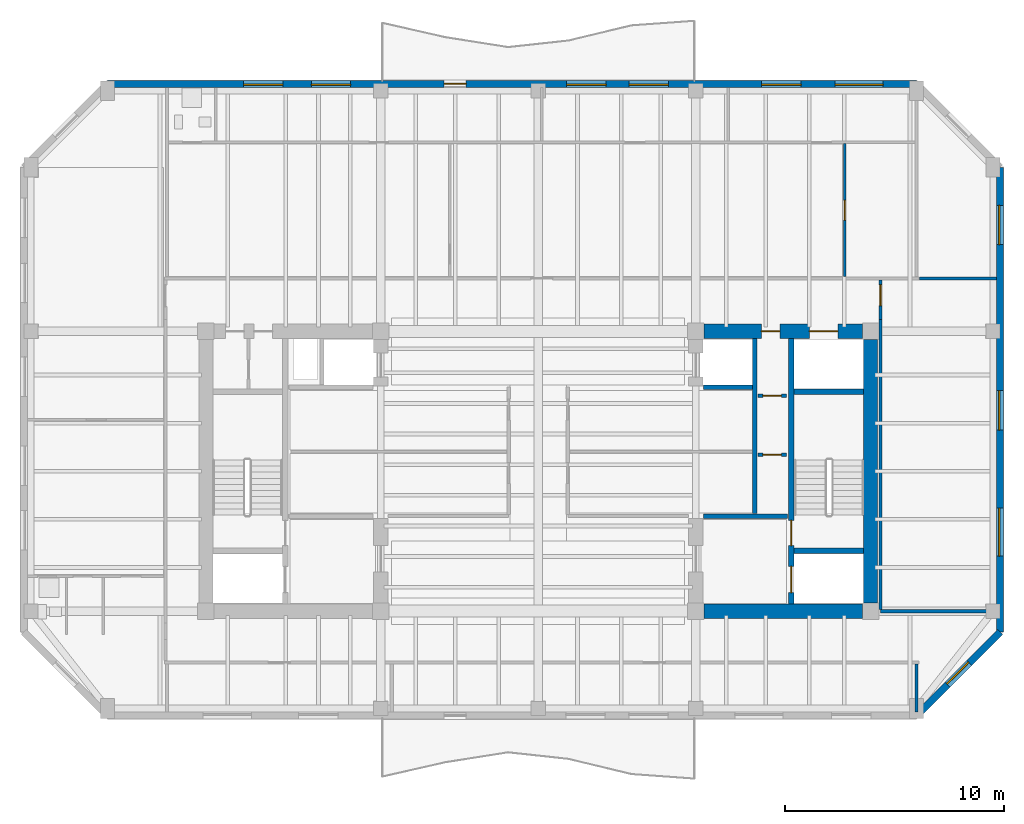
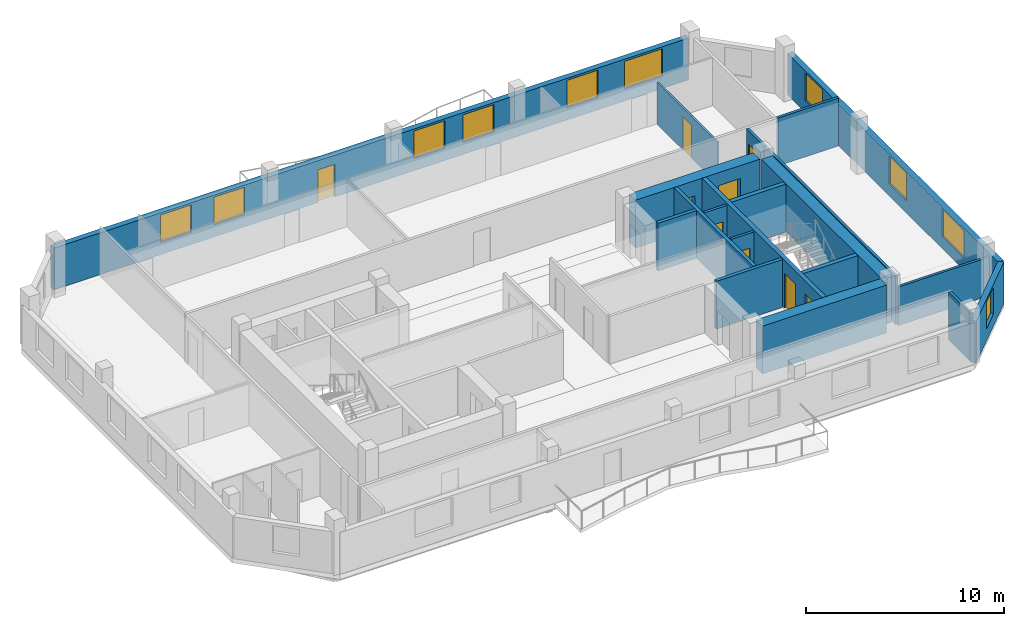
# One storey, part 5 of 10: 20 walls, 10 windows, 9 doors, 19 openings.
"""IFC4 building model written with IfcOpenShell, lengths in metres."""

from ifc_helpers import new_model, si_unit, direction, frame, frame_2d, origin, place, context, subcontext, project, spatial, rectangle, extrude, material, layer, layer_set, type_object, element, fill, save


model = new_model("IFC4")

# Units and contexts
model_context = context("Model", 3, precision=1e-05, world=origin(), true_north=direction((0.0, 1.0)))
body_context = subcontext(model_context, "Body", "Model", "MODEL_VIEW")
ifc_project = project(units=[si_unit("LENGTHUNIT", "METRE"), si_unit("AREAUNIT", "SQUARE_METRE"), si_unit("VOLUMEUNIT", "CUBIC_METRE"), si_unit("PLANEANGLEUNIT", "RADIAN"), si_unit("MASSUNIT", "GRAM", prefix="KILO")], contexts=[model_context])

# Site, building, storey
site_placement = place(None, origin())
site = spatial("IfcSite", under=ifc_project, at=site_placement, CompositionType="ELEMENT")
building_placement = place(site_placement, origin())
building = spatial("IfcBuilding", under=site, at=building_placement, Name="Kranthara Brick Stack", CompositionType="ELEMENT")
storey_placement = place(building_placement, frame((0.0, 0.0, 278.89990234375)))
storey = spatial("IfcBuildingStorey", under=building, at=storey_placement, Name="L74", CompositionType="ELEMENT", Elevation=278.89990234375)

# Wall, openings, door, windows
ifc_material_1 = material(Name="Warm buff clay brick masonry M15", Category="masonry")
ifc_layer_1 = layer(ifc_material_1, 0.320068359375)
ifc_layer_set_1 = layer_set([ifc_layer_1], Name="Warm buff clay brick masonry M15")
wall_type_1 = type_object("IfcWallType", Name="WL-BRK-UPPR-320", PredefinedType="STANDARD", material=ifc_layer_set_1)
wall_1_placement = place(storey_placement, frame((8.300048828125, 44.919921875, 0.0), z_axis=(0.0, 0.0, 1.0), x_axis=(1.0, 0.0, 0.0)))
wall_1 = element("IfcWall", 1, at=wall_1_placement, inside=storey, type_object=wall_type_1, Name="L74 Exterior Brick Facade Wall NORTH 1", PredefinedType="STANDARD", context=body_context, shape_type="SweptSolid", body=[
    extrude(rectangle(XDim=37.0, YDim=0.320068359375, at=frame_2d((18.5, 0.0))), origin(), (0.0, 0.0, 1.0), 2.5751953125),
])
opening_1_placement = place(wall_1_placement, frame((15.39990234375, 0.0, 0.0)))
opening_1 = element("IfcOpeningElement", 2, at=opening_1_placement, cuts=wall_1, Name="Opening D03", PredefinedType="OPENING", context=body_context, shape_type="SweptSolid", body=[
    extrude(rectangle(XDim=1.0, YDim=2.02001953125, at=frame_2d((0.5, 1.010009765625))), frame((0.0, 0.169921875, 0.0), z_axis=(0.0, -1.0, 0.0), x_axis=(1.0, 0.0, 0.0)), (0.0, 0.0, 1.0), 0.340087890625),
])
opening_2_placement = place(wall_1_placement, frame((6.22705078125, 0.0, 0.75)))
opening_2 = element("IfcOpeningElement", 3, at=opening_2_placement, cuts=wall_1, Name="Opening WN07", PredefinedType="OPENING", context=body_context, shape_type="SweptSolid", body=[
    extrude(rectangle(XDim=1.800048828125, YDim=1.699951171875, at=frame_2d((0.89990234375, 0.85009765625))), frame((0.0, 0.169921875, 0.0), z_axis=(0.0, -1.0, 0.0), x_axis=(1.0, 0.0, 0.0)), (0.0, 0.0, 1.0), 0.340087890625),
])
opening_3_placement = place(wall_1_placement, frame((9.322998046875, 0.0, 0.75)))
opening_3 = element("IfcOpeningElement", 4, at=opening_3_placement, cuts=wall_1, Name="Opening WN07", PredefinedType="OPENING", context=body_context, shape_type="SweptSolid", body=[
    extrude(rectangle(XDim=1.800048828125, YDim=1.699951171875, at=frame_2d((0.89990234375, 0.85009765625))), frame((0.0, 0.169921875, 0.0), z_axis=(0.0, -1.0, 0.0), x_axis=(1.0, 0.0, 0.0)), (0.0, 0.0, 1.0), 0.340087890625),
])
opening_4_placement = place(wall_1_placement, frame((21.00390625, 0.0, 0.75)))
opening_4 = element("IfcOpeningElement", 5, at=opening_4_placement, cuts=wall_1, Name="Opening WN07", PredefinedType="OPENING", context=body_context, shape_type="SweptSolid", body=[
    extrude(rectangle(XDim=1.800048828125, YDim=1.699951171875, at=frame_2d((0.89990234375, 0.85009765625))), frame((0.0, 0.169921875, 0.0), z_axis=(0.0, -1.0, 0.0), x_axis=(1.0, 0.0, 0.0)), (0.0, 0.0, 1.0), 0.340087890625),
])
opening_5_placement = place(wall_1_placement, frame((23.85595703125, 0.0, 0.75)))
opening_5 = element("IfcOpeningElement", 6, at=opening_5_placement, cuts=wall_1, Name="Opening WN07", PredefinedType="OPENING", context=body_context, shape_type="SweptSolid", body=[
    extrude(rectangle(XDim=1.800048828125, YDim=1.699951171875, at=frame_2d((0.89990234375, 0.85009765625))), frame((0.0, 0.169921875, 0.0), z_axis=(0.0, -1.0, 0.0), x_axis=(1.0, 0.0, 0.0)), (0.0, 0.0, 1.0), 0.340087890625),
])
opening_6_placement = place(wall_1_placement, frame((29.9169921875, 0.0, 0.75)))
opening_6 = element("IfcOpeningElement", 7, at=opening_6_placement, cuts=wall_1, Name="Opening WN07", PredefinedType="OPENING", context=body_context, shape_type="SweptSolid", body=[
    extrude(rectangle(XDim=1.800048828125, YDim=1.699951171875, at=frame_2d((0.89990234375, 0.85009765625))), frame((0.0, 0.169921875, 0.0), z_axis=(0.0, -1.0, 0.0), x_axis=(1.0, 0.0, 0.0)), (0.0, 0.0, 1.0), 0.340087890625),
])
opening_7_placement = place(wall_1_placement, frame((33.27294921875, 0.0, 0.75)))
opening_7 = element("IfcOpeningElement", 8, at=opening_7_placement, cuts=wall_1, Name="Opening WN08", PredefinedType="OPENING", context=body_context, shape_type="SweptSolid", body=[
    extrude(rectangle(XDim=2.199951171875, YDim=1.699951171875, at=frame_2d((1.10009765625, 0.85009765625))), frame((0.0, 0.169921875, 0.0), z_axis=(0.0, -1.0, 0.0), x_axis=(1.0, 0.0, 0.0)), (0.0, 0.0, 1.0), 0.340087890625),
])
ifc_material_2 = material(Name="Bronze anodised aluminium and laminated glass", Category="aluminium")
door_type_1 = type_object("IfcDoorType", Name="DR-BALC-1000", OperationType="NOTDEFINED", PredefinedType="DOOR", material=ifc_material_2)
door_1_placement = place(opening_1_placement, origin())
door_1 = element("IfcDoor", 9, at=door_1_placement, inside=storey, type_object=door_type_1, Name="L74 North Balcony Terrace Door", OperationType="SINGLE_SWING_RIGHT", OverallHeight=2.02001953125, OverallWidth=1.0, PredefinedType="DOOR", context=body_context, shape_type="SweptSolid", body=[
    extrude(rectangle(XDim=1.0, YDim=2.02001953125, at=frame_2d((0.5, 1.010009765625))), frame((0.0, 0.02490234375, 0.0), z_axis=(0.0, -1.0, 0.0), x_axis=(1.0, 0.0, 0.0)), (0.0, 0.0, 1.0), 0.050048828125),
])
fill(opening_1, door_1)
ifc_material_3 = material(Name="Double-glazed low-E solar control glass", Category="glass")
window_type_1 = type_object("IfcWindowType", Name="WN-RES-1800x1850", PartitioningType="DOUBLE_PANEL_VERTICAL", PredefinedType="WINDOW", material=ifc_material_3)
window_1_placement = place(opening_2_placement, origin())
window_1 = element("IfcWindow", 10, at=window_1_placement, inside=storey, type_object=window_type_1, Name="L74 North Deep-Set Brick Window 01", OverallHeight=1.699951171875, OverallWidth=1.800048828125, PartitioningType="SINGLE_PANEL", PredefinedType="WINDOW", context=body_context, shape_type="SweptSolid", body=[
    extrude(rectangle(XDim=1.800048828125, YDim=1.699951171875, at=frame_2d((0.89990234375, 0.85009765625))), frame((0.0, -0.010009765625, 0.0), z_axis=(0.0, -1.0, 0.0), x_axis=(1.0, 0.0, 0.0)), (0.0, 0.0, 1.0), 0.06005859375),
])
fill(opening_2, window_1)
window_2_placement = place(opening_3_placement, origin())
window_2 = element("IfcWindow", 11, at=window_2_placement, inside=storey, type_object=window_type_1, Name="L74 North Deep-Set Brick Window 02", OverallHeight=1.699951171875, OverallWidth=1.800048828125, PartitioningType="SINGLE_PANEL", PredefinedType="WINDOW", context=body_context, shape_type="SweptSolid", body=[
    extrude(rectangle(XDim=1.800048828125, YDim=1.699951171875, at=frame_2d((0.89990234375, 0.85009765625))), frame((0.0, -0.010009765625, 0.0), z_axis=(0.0, -1.0, 0.0), x_axis=(1.0, 0.0, 0.0)), (0.0, 0.0, 1.0), 0.06005859375),
])
fill(opening_3, window_2)
window_3_placement = place(opening_4_placement, origin())
window_3 = element("IfcWindow", 12, at=window_3_placement, inside=storey, type_object=window_type_1, Name="L74 North Deep-Set Brick Window 03", OverallHeight=1.699951171875, OverallWidth=1.800048828125, PartitioningType="SINGLE_PANEL", PredefinedType="WINDOW", context=body_context, shape_type="SweptSolid", body=[
    extrude(rectangle(XDim=1.800048828125, YDim=1.699951171875, at=frame_2d((0.89990234375, 0.85009765625))), frame((0.0, -0.010009765625, 0.0), z_axis=(0.0, -1.0, 0.0), x_axis=(1.0, 0.0, 0.0)), (0.0, 0.0, 1.0), 0.06005859375),
])
fill(opening_4, window_3)
window_4_placement = place(opening_5_placement, origin())
window_4 = element("IfcWindow", 13, at=window_4_placement, inside=storey, type_object=window_type_1, Name="L74 North Deep-Set Brick Window 04", OverallHeight=1.699951171875, OverallWidth=1.800048828125, PartitioningType="SINGLE_PANEL", PredefinedType="WINDOW", context=body_context, shape_type="SweptSolid", body=[
    extrude(rectangle(XDim=1.800048828125, YDim=1.699951171875, at=frame_2d((0.89990234375, 0.85009765625))), frame((0.0, -0.010009765625, 0.0), z_axis=(0.0, -1.0, 0.0), x_axis=(1.0, 0.0, 0.0)), (0.0, 0.0, 1.0), 0.06005859375),
])
fill(opening_5, window_4)
window_5_placement = place(opening_6_placement, origin())
window_5 = element("IfcWindow", 14, at=window_5_placement, inside=storey, type_object=window_type_1, Name="L74 North Deep-Set Brick Window 05", OverallHeight=1.699951171875, OverallWidth=1.800048828125, PartitioningType="SINGLE_PANEL", PredefinedType="WINDOW", context=body_context, shape_type="SweptSolid", body=[
    extrude(rectangle(XDim=1.800048828125, YDim=1.699951171875, at=frame_2d((0.89990234375, 0.85009765625))), frame((0.0, -0.010009765625, 0.0), z_axis=(0.0, -1.0, 0.0), x_axis=(1.0, 0.0, 0.0)), (0.0, 0.0, 1.0), 0.06005859375),
])
fill(opening_6, window_5)
ifc_material_4 = material(Name="Double-glazed low-E solar control glass", Category="glass")
window_type_2 = type_object("IfcWindowType", Name="WN-RES-2200x1850", PartitioningType="TRIPLE_PANEL_VERTICAL", PredefinedType="WINDOW", material=ifc_material_4)
window_6_placement = place(opening_7_placement, origin())
window_6 = element("IfcWindow", 15, at=window_6_placement, inside=storey, type_object=window_type_2, Name="L74 North Deep-Set Brick Window 06", OverallHeight=1.699951171875, OverallWidth=2.199951171875, PartitioningType="SINGLE_PANEL", PredefinedType="WINDOW", context=body_context, shape_type="SweptSolid", body=[
    extrude(rectangle(XDim=2.199951171875, YDim=1.699951171875, at=frame_2d((1.10009765625, 0.85009765625))), frame((0.0, -0.010009765625, 0.0), z_axis=(0.0, -1.0, 0.0), x_axis=(1.0, 0.0, 0.0)), (0.0, 0.0, 1.0), 0.06005859375),
])
fill(opening_7, window_6)

# Wall, openings, windows
wall_2_placement = place(storey_placement, frame((49.1201171875, 41.10009765625, 0.0), z_axis=(0.0, 0.0, 1.0), x_axis=(0.0, -1.0, 0.0)))
wall_2 = element("IfcWall", 16, at=wall_2_placement, inside=storey, type_object=wall_type_1, Name="L74 Exterior Brick Facade Wall EAST 1", PredefinedType="STANDARD", context=body_context, shape_type="SweptSolid", body=[
    extrude(rectangle(XDim=21.25, YDim=0.320068359375, at=frame_2d((10.625, 0.0))), origin(), (0.0, 0.0, 1.0), 2.5751953125),
])
opening_8_placement = place(wall_2_placement, frame((1.739990234375, 0.0, 0.75)))
opening_8 = element("IfcOpeningElement", 17, at=opening_8_placement, cuts=wall_2, Name="Opening WN07", PredefinedType="OPENING", context=body_context, shape_type="SweptSolid", body=[
    extrude(rectangle(XDim=1.800048828125, YDim=1.699951171875, at=frame_2d((0.89990234375, 0.85009765625))), frame((0.0, 0.169921875, 0.0), z_axis=(0.0, -1.0, 0.0), x_axis=(1.0, 0.0, 0.0)), (0.0, 0.0, 1.0), 0.340087890625),
])
opening_9_placement = place(wall_2_placement, frame((10.216064453125, 0.0, 0.75)))
opening_9 = element("IfcOpeningElement", 18, at=opening_9_placement, cuts=wall_2, Name="Opening WN07", PredefinedType="OPENING", context=body_context, shape_type="SweptSolid", body=[
    extrude(rectangle(XDim=1.800048828125, YDim=1.699951171875, at=frame_2d((0.89990234375, 0.85009765625))), frame((0.0, 0.169921875, 0.0), z_axis=(0.0, -1.0, 0.0), x_axis=(1.0, 0.0, 0.0)), (0.0, 0.0, 1.0), 0.340087890625),
])
opening_10_placement = place(wall_2_placement, frame((15.583984375, 0.0, 0.75)))
opening_10 = element("IfcOpeningElement", 19, at=opening_10_placement, cuts=wall_2, Name="Opening WN08", PredefinedType="OPENING", context=body_context, shape_type="SweptSolid", body=[
    extrude(rectangle(XDim=2.199951171875, YDim=1.699951171875, at=frame_2d((1.10009765625, 0.85009765625))), frame((0.0, 0.169921875, 0.0), z_axis=(0.0, -1.0, 0.0), x_axis=(1.0, 0.0, 0.0)), (0.0, 0.0, 1.0), 0.340087890625),
])
window_7_placement = place(opening_8_placement, origin())
window_7 = element("IfcWindow", 20, at=window_7_placement, inside=storey, type_object=window_type_1, Name="L74 East Deep-Set Brick Window 01", OverallHeight=1.699951171875, OverallWidth=1.800048828125, PartitioningType="SINGLE_PANEL", PredefinedType="WINDOW", context=body_context, shape_type="SweptSolid", body=[
    extrude(rectangle(XDim=1.800048828125, YDim=1.699951171875, at=frame_2d((0.89990234375, 0.85009765625))), frame((0.0, -0.010009765625, 0.0), z_axis=(0.0, -1.0, 0.0), x_axis=(1.0, 0.0, 0.0)), (0.0, 0.0, 1.0), 0.06005859375),
])
fill(opening_8, window_7)
window_8_placement = place(opening_9_placement, origin())
window_8 = element("IfcWindow", 21, at=window_8_placement, inside=storey, type_object=window_type_1, Name="L74 East Deep-Set Brick Window 02", OverallHeight=1.699951171875, OverallWidth=1.800048828125, PartitioningType="SINGLE_PANEL", PredefinedType="WINDOW", context=body_context, shape_type="SweptSolid", body=[
    extrude(rectangle(XDim=1.800048828125, YDim=1.699951171875, at=frame_2d((0.89990234375, 0.85009765625))), frame((0.0, -0.010009765625, 0.0), z_axis=(0.0, -1.0, 0.0), x_axis=(1.0, 0.0, 0.0)), (0.0, 0.0, 1.0), 0.06005859375),
])
fill(opening_9, window_8)
window_9_placement = place(opening_10_placement, origin())
window_9 = element("IfcWindow", 22, at=window_9_placement, inside=storey, type_object=window_type_2, Name="L74 East Deep-Set Brick Window 03", OverallHeight=1.699951171875, OverallWidth=2.199951171875, PartitioningType="SINGLE_PANEL", PredefinedType="WINDOW", context=body_context, shape_type="SweptSolid", body=[
    extrude(rectangle(XDim=2.199951171875, YDim=1.699951171875, at=frame_2d((1.10009765625, 0.85009765625))), frame((0.0, -0.010009765625, 0.0), z_axis=(0.0, -1.0, 0.0), x_axis=(1.0, 0.0, 0.0)), (0.0, 0.0, 1.0), 0.06005859375),
])
fill(opening_10, window_9)

# Wall, opening, window
wall_3_placement = place(storey_placement, frame((49.1201171875, 19.85009765625, 0.0), z_axis=(0.0, 0.0, 1.0), x_axis=(-0.707106781187, -0.707106781187, 0.0)))
wall_3 = element("IfcWall", 23, at=wall_3_placement, inside=storey, type_object=wall_type_1, Name="L74 Exterior Brick Facade Wall SE 1", PredefinedType="STANDARD", context=body_context, shape_type="SweptSolid", body=[
    extrude(rectangle(XDim=5.40234375, YDim=0.320068359375, at=frame_2d((2.701171875, 0.0))), origin(), (0.0, 0.0, 1.0), 2.5751953125),
])
opening_11_placement = place(wall_3_placement, frame((2.0009765625, 0.0, 0.75)))
opening_11 = element("IfcOpeningElement", 24, at=opening_11_placement, cuts=wall_3, Name="Opening WN10", PredefinedType="OPENING", context=body_context, shape_type="SweptSolid", body=[
    extrude(rectangle(XDim=1.39990234375, YDim=1.64990234375, at=frame_2d((0.699951171875, 0.824951171875))), frame((0.0, 0.169921875, 0.0), z_axis=(0.0, -1.0, 0.0), x_axis=(1.0, 0.0, 0.0)), (0.0, 0.0, 1.0), 0.340087890625),
])
ifc_material_5 = material(Name="Double-glazed low-E solar control glass", Category="glass")
window_type_3 = type_object("IfcWindowType", Name="WN-CHM-1400x1750", PartitioningType="SINGLE_PANEL", PredefinedType="WINDOW", material=ifc_material_5)
window_10_placement = place(opening_11_placement, origin())
window_10 = element("IfcWindow", 25, at=window_10_placement, inside=storey, type_object=window_type_3, Name="L74 SE Chamfer Corner Window", OverallHeight=1.64990234375, OverallWidth=1.39990234375, PartitioningType="SINGLE_PANEL", PredefinedType="WINDOW", context=body_context, shape_type="SweptSolid", body=[
    extrude(rectangle(XDim=1.39990234375, YDim=1.64990234375, at=frame_2d((0.699951171875, 0.824951171875))), frame((0.0, -0.010009765625, 0.0), z_axis=(0.0, -1.0, 0.0), x_axis=(1.0, 0.0, 0.0)), (0.0, 0.0, 1.0), 0.06005859375),
])
fill(opening_11, window_10)

# Wall, openings, doors
ifc_material_6 = material(Name="Concrete C50/60", Category="concrete")
ifc_layer_2 = layer(ifc_material_6, 0.25)
ifc_layer_set_2 = layer_set([ifc_layer_2], Name="Concrete C50/60")
wall_type_2 = type_object("IfcWallType", Name="WL-CORE-250", PredefinedType="SHEAR", material=ifc_layer_set_2)
wall_4_placement = place(storey_placement, frame((39.56494140625, 21.135009765625, 0.0), z_axis=(0.0, 0.0, 1.0), x_axis=(0.0, 1.0, 0.0)))
wall_4 = element("IfcWall", 26, at=wall_4_placement, inside=storey, type_object=wall_type_2, Name="L74 East Core Stair Bearing Spine Wall", PredefinedType="SHEAR", context=body_context, shape_type="SweptSolid", body=[
    extrude(rectangle(XDim=12.1298828125, YDim=0.25, at=frame_2d((6.06494140625, 0.0))), origin(), (0.0, 0.0, 1.0), 2.9501953125),
])
opening_12_placement = place(wall_4_placement, frame((0.514892578125, 0.0, 0.0)))
opening_12 = element("IfcOpeningElement", 27, at=opening_12_placement, cuts=wall_4, Name="Opening LD01", PredefinedType="OPENING", context=body_context, shape_type="SweptSolid", body=[
    extrude(rectangle(XDim=1.199951171875, YDim=2.14990234375, at=frame_2d((0.60009765625, 1.074951171875))), frame((0.0, 0.135009765625, 0.0), z_axis=(0.0, -1.0, 0.0), x_axis=(1.0, 0.0, 0.0)), (0.0, 0.0, 1.0), 0.27001953125),
])
opening_13_placement = place(wall_4_placement, frame((2.6650390625, 0.0, 0.0)))
opening_13 = element("IfcOpeningElement", 28, at=opening_13_placement, cuts=wall_4, Name="Opening D05", PredefinedType="OPENING", context=body_context, shape_type="SweptSolid", body=[
    extrude(rectangle(XDim=1.14990234375, YDim=2.14990234375, at=frame_2d((0.574951171875, 1.074951171875))), frame((0.0, 0.135009765625, 0.0), z_axis=(0.0, -1.0, 0.0), x_axis=(1.0, 0.0, 0.0)), (0.0, 0.0, 1.0), 0.27001953125),
])
ifc_material_7 = material(Name="Stainless steel sliding landing door", Category="steel")
door_type_2 = type_object("IfcDoorType", Name="DR-LD-FF1200", OperationType="DOUBLE_DOOR_SLIDING", PredefinedType="DOOR", material=ifc_material_7)
door_2_placement = place(opening_12_placement, origin())
door_2 = element("IfcDoor", 29, at=door_2_placement, inside=storey, type_object=door_type_2, Name="L74 Firefighting Lift FF-02 Landing Door", OperationType="DOUBLE_DOOR_SLIDING", OverallHeight=2.14990234375, OverallWidth=1.199951171875, PredefinedType="DOOR", context=body_context, shape_type="SweptSolid", body=[
    extrude(rectangle(XDim=1.199951171875, YDim=2.14990234375, at=frame_2d((0.60009765625, 1.074951171875))), frame((0.0, 0.02490234375, 0.0), z_axis=(0.0, -1.0, 0.0), x_axis=(1.0, 0.0, 0.0)), (0.0, 0.0, 1.0), 0.050048828125),
])
fill(opening_12, door_2)
ifc_material_8 = material(Name="Solid-core hardwood timber leaf in steel frame", Category="steel")
door_type_3 = type_object("IfcDoorType", Name="DR-ST-1150", OperationType="NOTDEFINED", PredefinedType="DOOR", material=ifc_material_8)
door_3_placement = place(opening_13_placement, origin())
door_3 = element("IfcDoor", 30, at=door_3_placement, inside=storey, type_object=door_type_3, Name="L74 Exit Stair ST02 Door", OperationType="SINGLE_SWING_LEFT", OverallHeight=2.14990234375, OverallWidth=1.14990234375, PredefinedType="DOOR", context=body_context, shape_type="SweptSolid", body=[
    extrude(rectangle(XDim=1.14990234375, YDim=2.14990234375, at=frame_2d((0.574951171875, 1.074951171875))), frame((0.0, 0.02490234375, 0.0), z_axis=(0.0, -1.0, 0.0), x_axis=(1.0, 0.0, 0.0)), (0.0, 0.0, 1.0), 0.050048828125),
])
fill(opening_13, door_3)

# Walls
for number, where, z_axis, x_axis, name in (
    (31, (39.68994140625, 23.570068359375, 0.0), (0.0, 0.0, 1.0), (1.0, 0.0, 0.0), "L74 East Stairwell Bearing Wall EFF"),
    (32, (39.68994140625, 30.830078125, 0.0), (0.0, 0.0, 1.0), (1.0, 0.0, 0.0), "L74 East Stairwell Bearing Wall EST"),
):
    element("IfcWall", number, at=place(storey_placement, frame(where, z_axis=z_axis, x_axis=x_axis)), inside=storey, type_object=wall_type_2, Name=name, PredefinedType="SHEAR", context=body_context, shape_type="SweptSolid", body=[
        extrude(rectangle(XDim=3.175048828125, YDim=0.25, at=frame_2d((1.58740234375, 0.0))), origin(), (0.0, 0.0, 1.0), 2.9501953125),
    ])
ifc_material_9 = material(Name="Concrete C60/75", Category="concrete")
ifc_layer_3 = layer(ifc_material_9, 0.64990234375)
ifc_layer_set_3 = layer_set([ifc_layer_3], Name="Concrete C60/75")
wall_type_3 = type_object("IfcWallType", Name="WL-CORE-650", PredefinedType="SHEAR", material=ifc_layer_set_3)
wall_5_placement = place(storey_placement, frame((43.199951171875, 21.179931640625, 0.0), z_axis=(0.0, 0.0, 1.0), x_axis=(0.0, 1.0, 0.0)))
element("IfcWall", 33, at=wall_5_placement, inside=storey, type_object=wall_type_3, Name="L74 East Core Shear Wall East", PredefinedType="SHEAR", context=body_context, shape_type="SweptSolid", body=[
    extrude(rectangle(XDim=12.0400390625, YDim=0.64990234375, at=frame_2d((6.02001953125, 0.0))), origin(), (0.0, 0.0, 1.0), 2.9501953125),
])
wall_6_placement = place(storey_placement, frame((35.580078125, 20.800048828125, 0.0), z_axis=(0.0, 0.0, 1.0), x_axis=(1.0, 0.0, 0.0)))
element("IfcWall", 34, at=wall_6_placement, inside=storey, type_object=wall_type_3, Name="L74 East Core Shear Wall South", PredefinedType="SHEAR", context=body_context, shape_type="SweptSolid", body=[
    extrude(rectangle(XDim=7.239990234375, YDim=0.64990234375, at=frame_2d((3.6201171875, 0.0))), origin(), (0.0, 0.0, 1.0), 2.9501953125),
])

# Wall, openings, doors
wall_7_placement = place(storey_placement, frame((35.580078125, 33.60009765625, 0.0), z_axis=(0.0, 0.0, 1.0), x_axis=(1.0, 0.0, 0.0)))
wall_7 = element("IfcWall", 35, at=wall_7_placement, inside=storey, type_object=wall_type_3, Name="L74 East Core Shear Wall North", PredefinedType="SHEAR", context=body_context, shape_type="SweptSolid", body=[
    extrude(rectangle(XDim=7.239990234375, YDim=0.64990234375, at=frame_2d((3.6201171875, 0.0))), origin(), (0.0, 0.0, 1.0), 2.9501953125),
])
opening_14_placement = place(wall_7_placement, frame((4.820068359375, 0.0, 0.0)))
opening_14 = element("IfcOpeningElement", 36, at=opening_14_placement, cuts=wall_7, Name="Opening LD03", PredefinedType="OPENING", context=body_context, shape_type="SweptSolid", body=[
    extrude(rectangle(XDim=1.300048828125, YDim=2.14990234375, at=frame_2d((0.64990234375, 1.074951171875))), frame((0.0, 0.3349609375, 0.0), z_axis=(0.0, -1.0, 0.0), x_axis=(1.0, 0.0, 0.0)), (0.0, 0.0, 1.0), 0.669921875),
])
opening_15_placement = place(wall_7_placement, frame((2.6201171875, 0.0, 0.0)))
opening_15 = element("IfcOpeningElement", 37, at=opening_15_placement, cuts=wall_7, Name="Opening D10", PredefinedType="OPENING", context=body_context, shape_type="SweptSolid", body=[
    extrude(rectangle(XDim=0.85009765625, YDim=2.02001953125, at=frame_2d((0.425048828125, 1.010009765625))), frame((0.0, 0.3349609375, 0.0), z_axis=(0.0, -1.0, 0.0), x_axis=(1.0, 0.0, 0.0)), (0.0, 0.0, 1.0), 0.669921875),
])
ifc_material_10 = material(Name="Stainless steel sliding landing door", Category="steel")
door_type_4 = type_object("IfcDoorType", Name="DR-LD-SV1300", OperationType="DOUBLE_DOOR_SLIDING", PredefinedType="DOOR", material=ifc_material_10)
door_4_placement = place(opening_14_placement, origin())
door_4 = element("IfcDoor", 38, at=door_4_placement, inside=storey, type_object=door_type_4, Name="L74 Stretcher Service Lift SV-01 Landing Door", OperationType="DOUBLE_DOOR_SLIDING", OverallHeight=2.14990234375, OverallWidth=1.300048828125, PredefinedType="DOOR", context=body_context, shape_type="SweptSolid", body=[
    extrude(rectangle(XDim=1.300048828125, YDim=2.14990234375, at=frame_2d((0.64990234375, 1.074951171875))), frame((0.0, 0.02490234375, 0.0), z_axis=(0.0, -1.0, 0.0), x_axis=(1.0, 0.0, 0.0)), (0.0, 0.0, 1.0), 0.050048828125),
])
fill(opening_14, door_4)
ifc_material_11 = material(Name="Solid-core hardwood timber leaf in steel frame", Category="steel")
door_type_5 = type_object("IfcDoorType", Name="DR-RSR-850", OperationType="NOTDEFINED", PredefinedType="DOOR", material=ifc_material_11)
door_5_placement = place(opening_15_placement, origin())
door_5 = element("IfcDoor", 39, at=door_5_placement, inside=storey, type_object=door_type_5, Name="L74 East Core Service Room Door", OperationType="SINGLE_SWING_LEFT", OverallHeight=2.02001953125, OverallWidth=0.85009765625, PredefinedType="DOOR", context=body_context, shape_type="SweptSolid", body=[
    extrude(rectangle(XDim=0.85009765625, YDim=2.02001953125, at=frame_2d((0.425048828125, 1.010009765625))), frame((0.0, 0.02490234375, 0.0), z_axis=(0.0, -1.0, 0.0), x_axis=(1.0, 0.0, 0.0)), (0.0, 0.0, 1.0), 0.050048828125),
])
fill(opening_15, door_5)

# Wall, opening, door
ifc_material_12 = material(Name="Moisture-resistant wet-room partition", Category="other")
ifc_layer_4 = layer(ifc_material_12, 0.10009765625)
ifc_layer_set_4 = layer_set([ifc_layer_4], Name="Moisture-resistant wet-room partition")
wall_type_4 = type_object("IfcWallType", Name="WL-PART-100", PredefinedType="PARTITIONING", material=ifc_layer_set_4)
wall_8_placement = place(storey_placement, frame((42.02001953125, 36.10009765625, 0.0), z_axis=(0.0, 0.0, 1.0), x_axis=(0.0, 1.0, 0.0)))
wall_8 = element("IfcWall", 40, at=wall_8_placement, inside=storey, type_object=wall_type_4, Name="L74 Interior Partition 017", PredefinedType="PARTITIONING", context=body_context, shape_type="SweptSolid", body=[
    extrude(rectangle(XDim=6.094970703125, YDim=0.10009765625, at=frame_2d((3.04736328125, 0.0))), origin(), (0.0, 0.0, 1.0), 2.5751953125),
])
opening_16_placement = place(wall_8_placement, frame((2.5849609375, 0.0, 0.0)))
opening_16 = element("IfcOpeningElement", 41, at=opening_16_placement, cuts=wall_8, Name="Opening D15", PredefinedType="OPENING", context=body_context, shape_type="SweptSolid", body=[
    extrude(rectangle(XDim=0.89990234375, YDim=2.050048828125, at=frame_2d((0.449951171875, 1.02490234375))), frame((0.0, 0.06005859375, 0.0), z_axis=(0.0, -1.0, 0.0), x_axis=(1.0, 0.0, 0.0)), (0.0, 0.0, 1.0), 0.1201171875),
])
ifc_material_13 = material(Name="Solid-core hardwood timber leaf in steel frame", Category="steel")
door_type_6 = type_object("IfcDoorType", Name="DR-INT-900", OperationType="NOTDEFINED", PredefinedType="DOOR", material=ifc_material_13)
door_6_placement = place(opening_16_placement, origin())
door_6 = element("IfcDoor", 42, at=door_6_placement, inside=storey, type_object=door_type_6, Name="L74 Unit L74A Bedroom 3 11", OperationType="SINGLE_SWING_LEFT", OverallHeight=2.050048828125, OverallWidth=0.89990234375, PredefinedType="DOOR", context=body_context, shape_type="SweptSolid", body=[
    extrude(rectangle(XDim=0.89990234375, YDim=2.050048828125, at=frame_2d((0.449951171875, 1.02490234375))), frame((0.0, 0.02490234375, 0.0), z_axis=(0.0, -1.0, 0.0), x_axis=(1.0, 0.0, 0.0)), (0.0, 0.0, 1.0), 0.050048828125),
])
fill(opening_16, door_6)

ifc_material_14 = material(Name="Fire-rated gypsum board partition", Category="other")
ifc_layer_5 = layer(ifc_material_14, 0.14990234375)
ifc_layer_set_5 = layer_set([ifc_layer_5], Name="Fire-rated gypsum board partition")
wall_type_5 = type_object("IfcWallType", Name="WL-PART-150", PredefinedType="PARTITIONING", material=ifc_layer_set_5)
wall_9_placement = place(storey_placement, frame((38.050048828125, 27.949951171875, 0.0), z_axis=(0.0, 0.0, 1.0), x_axis=(1.0, 0.0, 0.0)))
wall_9 = element("IfcWall", 43, at=wall_9_placement, inside=storey, type_object=wall_type_5, Name="L74 Interior Partition 002", PredefinedType="PARTITIONING", context=body_context, shape_type="SweptSolid", body=[
    extrude(rectangle(XDim=1.300048828125, YDim=0.14990234375, at=frame_2d((0.64990234375, 0.0))), origin(), (0.0, 0.0, 1.0), 2.9501953125),
])
opening_17_placement = place(wall_9_placement, frame((0.219970703125, 0.0, 0.0)))
opening_17 = element("IfcOpeningElement", 44, at=opening_17_placement, cuts=wall_9, Name="Opening D10", PredefinedType="OPENING", context=body_context, shape_type="SweptSolid", body=[
    extrude(rectangle(XDim=0.85009765625, YDim=2.02001953125, at=frame_2d((0.425048828125, 1.010009765625))), frame((0.0, 0.0849609375, 0.0), z_axis=(0.0, -1.0, 0.0), x_axis=(1.0, 0.0, 0.0)), (0.0, 0.0, 1.0), 0.169921875),
])
door_7_placement = place(opening_17_placement, origin())
door_7 = element("IfcDoor", 45, at=door_7_placement, inside=storey, type_object=door_type_5, Name="L74 Riser Door 1 02", OperationType="SINGLE_SWING_RIGHT", OverallHeight=2.02001953125, OverallWidth=0.85009765625, PredefinedType="DOOR", context=body_context, shape_type="SweptSolid", body=[
    extrude(rectangle(XDim=0.85009765625, YDim=2.02001953125, at=frame_2d((0.425048828125, 1.010009765625))), frame((0.0, 0.02490234375, 0.0), z_axis=(0.0, -1.0, 0.0), x_axis=(1.0, 0.0, 0.0)), (0.0, 0.0, 1.0), 0.050048828125),
])
fill(opening_17, door_7)

wall_10_placement = place(storey_placement, frame((38.050048828125, 30.64990234375, 0.0), z_axis=(0.0, 0.0, 1.0), x_axis=(1.0, 0.0, 0.0)))
wall_10 = element("IfcWall", 46, at=wall_10_placement, inside=storey, type_object=wall_type_5, Name="L74 Interior Partition 003", PredefinedType="PARTITIONING", context=body_context, shape_type="SweptSolid", body=[
    extrude(rectangle(XDim=1.300048828125, YDim=0.14990234375, at=frame_2d((0.64990234375, 0.0))), origin(), (0.0, 0.0, 1.0), 2.9501953125),
])
opening_18_placement = place(wall_10_placement, frame((0.219970703125, 0.0, 0.0)))
opening_18 = element("IfcOpeningElement", 47, at=opening_18_placement, cuts=wall_10, Name="Opening D10", PredefinedType="OPENING", context=body_context, shape_type="SweptSolid", body=[
    extrude(rectangle(XDim=0.85009765625, YDim=2.02001953125, at=frame_2d((0.425048828125, 1.010009765625))), frame((0.0, 0.0849609375, 0.0), z_axis=(0.0, -1.0, 0.0), x_axis=(1.0, 0.0, 0.0)), (0.0, 0.0, 1.0), 0.169921875),
])
door_8_placement = place(opening_18_placement, origin())
door_8 = element("IfcDoor", 48, at=door_8_placement, inside=storey, type_object=door_type_5, Name="L74 Riser Door 2 03", OperationType="SINGLE_SWING_LEFT", OverallHeight=2.02001953125, OverallWidth=0.85009765625, PredefinedType="DOOR", context=body_context, shape_type="SweptSolid", body=[
    extrude(rectangle(XDim=0.85009765625, YDim=2.02001953125, at=frame_2d((0.425048828125, 1.010009765625))), frame((0.0, 0.02490234375, 0.0), z_axis=(0.0, -1.0, 0.0), x_axis=(1.0, 0.0, 0.0)), (0.0, 0.0, 1.0), 0.050048828125),
])
fill(opening_18, door_8)

# Walls
wall_11_placement = place(storey_placement, frame((45.300048828125, 16.195068359375, 0.0), z_axis=(0.0, 0.0, 1.0), x_axis=(0.0, 1.0, 0.0)))
element("IfcWall", 49, at=wall_11_placement, inside=storey, type_object=wall_type_5, Name="L74 Interior Partition 013", PredefinedType="PARTITIONING", context=body_context, shape_type="SweptSolid", body=[
    extrude(rectangle(XDim=2.184814453125, YDim=0.14990234375, at=frame_2d((1.09228515625, 0.0))), origin(), (0.0, 0.0, 1.0), 2.9501953125),
])
wall_12_placement = place(storey_placement, frame((43.64990234375, 20.800048828125, 0.0), z_axis=(0.0, 0.0, 1.0), x_axis=(1.0, 0.0, 0.0)))
element("IfcWall", 50, at=wall_12_placement, inside=storey, type_object=wall_type_5, Name="L74 Interior Partition 032", PredefinedType="PARTITIONING", context=body_context, shape_type="SweptSolid", body=[
    extrude(rectangle(XDim=5.30517578125, YDim=0.14990234375, at=frame_2d((2.652587890625, 0.0))), origin(), (0.0, 0.0, 1.0), 2.385009765625),
])
wall_13_placement = place(storey_placement, frame((45.429931640625, 36.02001953125, 0.0), z_axis=(0.0, 0.0, 1.0), x_axis=(1.0, 0.0, 0.0)))
element("IfcWall", 51, at=wall_13_placement, inside=storey, type_object=wall_type_5, Name="L74 Interior Partition 033", PredefinedType="PARTITIONING", context=body_context, shape_type="SweptSolid", body=[
    extrude(rectangle(XDim=3.525146484375, YDim=0.14990234375, at=frame_2d((1.7626953125, 0.0))), origin(), (0.0, 0.0, 1.0), 2.9501953125),
])
wall_14_placement = place(storey_placement, frame((43.64990234375, 20.8798828125, 0.0), z_axis=(0.0, 0.0, 1.0), x_axis=(0.0, 1.0, 0.0)))
element("IfcWall", 52, at=wall_14_placement, inside=storey, type_object=wall_type_5, Name="L74 Interior Partition 034", PredefinedType="PARTITIONING", context=body_context, shape_type="SweptSolid", body=[
    extrude(rectangle(XDim=13.27001953125, YDim=0.14990234375, at=frame_2d((6.635009765625, 0.0))), origin(), (0.0, 0.0, 1.0), 2.9501953125),
])

# Wall, opening, door
wall_15_placement = place(storey_placement, frame((43.64990234375, 34.14990234375, 0.0), z_axis=(0.0, 0.0, 1.0), x_axis=(0.0, 1.0, 0.0)))
wall_15 = element("IfcWall", 53, at=wall_15_placement, inside=storey, type_object=wall_type_5, Name="L74 Interior Partition 035", PredefinedType="PARTITIONING", context=body_context, shape_type="SweptSolid", body=[
    extrude(rectangle(XDim=1.7900390625, YDim=0.14990234375, at=frame_2d((0.89501953125, 0.0))), origin(), (0.0, 0.0, 1.0), 2.9501953125),
])
opening_19_placement = place(wall_15_placement, frame((0.6298828125, 0.0, 0.0)))
opening_19 = element("IfcOpeningElement", 54, at=opening_19_placement, cuts=wall_15, Name="Opening D09", PredefinedType="OPENING", context=body_context, shape_type="SweptSolid", body=[
    extrude(rectangle(XDim=0.949951171875, YDim=2.10009765625, at=frame_2d((0.47509765625, 1.050048828125))), frame((0.0, 0.0849609375, 0.0), z_axis=(0.0, -1.0, 0.0), x_axis=(1.0, 0.0, 0.0)), (0.0, 0.0, 1.0), 0.169921875),
])
ifc_material_15 = material(Name="Solid-core hardwood timber leaf in steel frame", Category="steel")
door_type_7 = type_object("IfcDoorType", Name="DR-FD-950", OperationType="NOTDEFINED", PredefinedType="DOOR", material=ifc_material_15)
door_9_placement = place(opening_19_placement, origin())
door_9 = element("IfcDoor", 55, at=door_9_placement, inside=storey, type_object=door_type_7, Name="L74 East Sky Conservatory Door 22", OperationType="SINGLE_SWING_RIGHT", OverallHeight=2.10009765625, OverallWidth=0.949951171875, PredefinedType="DOOR", context=body_context, shape_type="SweptSolid", body=[
    extrude(rectangle(XDim=0.949951171875, YDim=2.10009765625, at=frame_2d((0.47509765625, 1.050048828125))), frame((0.0, 0.02490234375, 0.0), z_axis=(0.0, -1.0, 0.0), x_axis=(1.0, 0.0, 0.0)), (0.0, 0.0, 1.0), 0.050048828125),
])
fill(opening_19, door_9)

# Walls
ifc_material_16 = material(Name="Concrete C40/50", Category="concrete")
ifc_layer_6 = layer(ifc_material_16, 0.199951171875)
ifc_layer_set_6 = layer_set([ifc_layer_6], Name="Concrete C40/50")
wall_type_6 = type_object("IfcWallType", Name="WL-PART-200", PredefinedType="SOLIDWALL", material=ifc_layer_set_6)
wall_16_placement = place(storey_placement, frame((35.550048828125, 25.14990234375, 0.0), z_axis=(0.0, 0.0, 1.0), x_axis=(1.0, 0.0, 0.0)))
element("IfcWall", 56, at=wall_16_placement, inside=storey, type_object=wall_type_6, Name="L74 East Core Cross Wall EFL", PredefinedType="SOLIDWALL", context=body_context, shape_type="SweptSolid", body=[
    extrude(rectangle(XDim=3.849853515625, YDim=0.199951171875, at=frame_2d((1.9248046875, 0.0))), origin(), (0.0, 0.0, 1.0), 2.9501953125),
])
wall_17_placement = place(storey_placement, frame((35.550048828125, 31.050048828125, 0.0), z_axis=(0.0, 0.0, 1.0), x_axis=(1.0, 0.0, 0.0)))
element("IfcWall", 57, at=wall_17_placement, inside=storey, type_object=wall_type_6, Name="L74 East Core Cross Wall EE4", PredefinedType="SOLIDWALL", context=body_context, shape_type="SweptSolid", body=[
    extrude(rectangle(XDim=2.25, YDim=0.199951171875, at=frame_2d((1.125, 0.0))), origin(), (0.0, 0.0, 1.0), 2.9501953125),
])
wall_18_placement = place(storey_placement, frame((37.89990234375, 25.27001953125, 0.0), z_axis=(0.0, 0.0, 1.0), x_axis=(0.0, 1.0, 0.0)))
element("IfcWall", 58, at=wall_18_placement, inside=storey, type_object=wall_type_6, Name="L74 East Core Cross Wall ESV", PredefinedType="SOLIDWALL", context=body_context, shape_type="SweptSolid", body=[
    extrude(rectangle(XDim=7.994873046875, YDim=0.199951171875, at=frame_2d((3.99755859375, 0.0))), origin(), (0.0, 0.0, 1.0), 2.9501953125),
])

save(model, "model.ifc")
